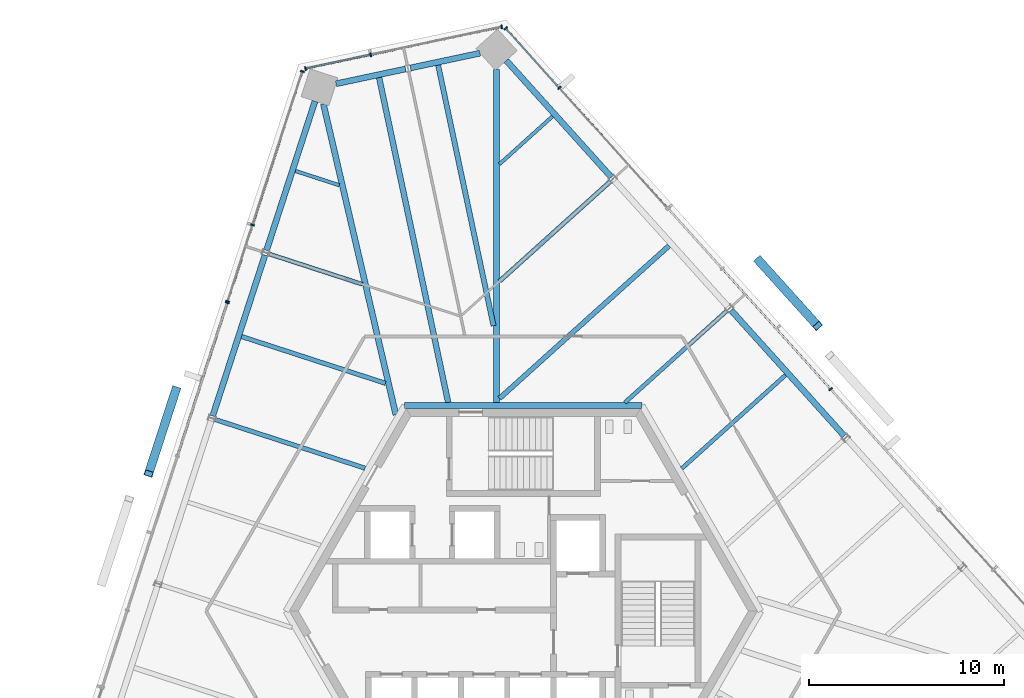
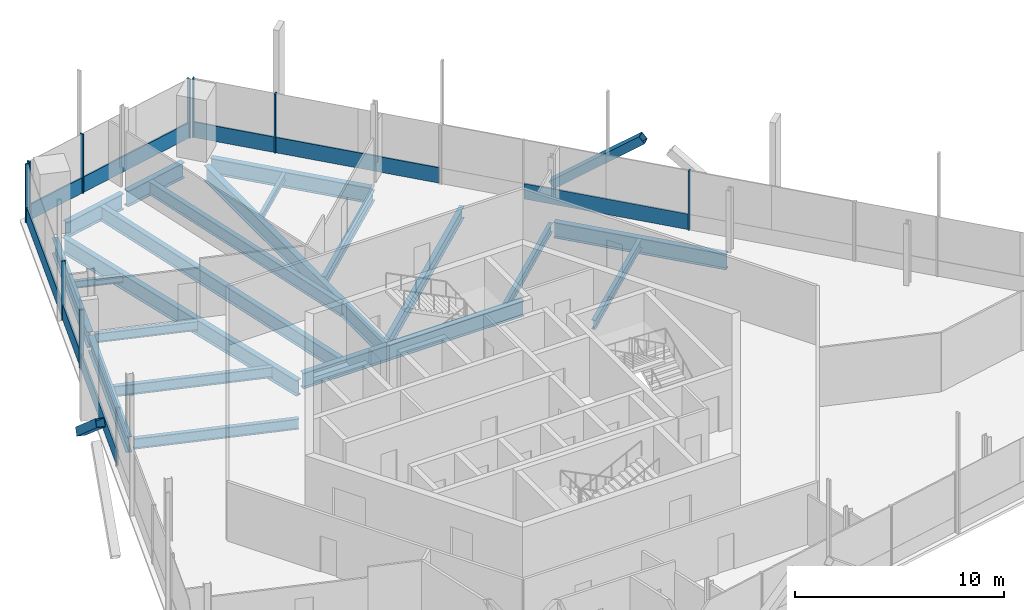
# One storey, part 7 of 17: 20 beams, 20 members, 5 elements without a shape of their own.
"""IFC4 building model written with IfcOpenShell, lengths in metres."""

import ifcopenshell
import ifcopenshell.guid

model = None  # the IFC model being written
_history = None  # IfcOwnerHistory: only IFC2X3 demands one
_inside = {}  # id of a spatial element -> (the spatial element, [elements in it])
_under = {}  # id of a project, library or spatial element -> (it, [spatial elements below it])
_declared = {}  # id of a project -> (the project, [libraries it declares])
_typed = {}  # id of a type object -> (the type object, [elements of that type])
_made_of = {}  # id of a material, layer set ... -> (it, [elements and type objects made of it])


def new_model(schema):
    """Start an empty IFC model of exactly this schema.

    Asked for "IFC4X3", IfcOpenShell would pick the latest addendum, in which some entities
    have other attributes; the version numbers below select the first issue.
    IFC2X3 requires an IfcOwnerHistory on every rooted entity: one is made here for all.
    """
    global model, _history
    if schema == "IFC4X3":
        model = ifcopenshell.file(schema_version=(4, 3, 0, 0))
    else:
        model = ifcopenshell.file(schema=schema)
    _inside.clear()
    _under.clear()
    _declared.clear()
    _typed.clear()
    _made_of.clear()
    _history = None
    if model.schema == "IFC2X3":
        org = make("IfcOrganization", Name="unknown")
        user = make(
            "IfcPersonAndOrganization",
            ThePerson=make("IfcPerson", FamilyName="unknown"),
            TheOrganization=org,
        )
        app = make(
            "IfcApplication",
            ApplicationDeveloper=org,
            Version="unknown",
            ApplicationFullName="unknown",
            ApplicationIdentifier="unknown",
        )
        _history = make(
            "IfcOwnerHistory",
            OwningUser=user,
            OwningApplication=app,
            ChangeAction="ADDED",
            CreationDate=0,
        )
    return model


def make(cls, **values):
    """One entity of the class cls with the attributes given. An attribute that is None is left unset."""
    return model.create_entity(
        cls, **{name: value for name, value in values.items() if value is not None}
    )


def rooted(cls, **values):
    """An entity with a GlobalId (a new one), such as an element, a storey or a relation."""
    return make(cls, GlobalId=ifcopenshell.guid.new(), OwnerHistory=_history, **values)


def si_unit(unit_type, name, prefix=None):
    """IfcSIUnit, for example si_unit("LENGTHUNIT", "METRE", prefix="MILLI")."""
    return make("IfcSIUnit", UnitType=unit_type, Prefix=prefix, Name=name)


def assignment(units):
    """IfcUnitAssignment: the units of a project."""
    return None if units is None else make("IfcUnitAssignment", Units=units)


def point(xyz):
    """IfcCartesianPoint."""
    return None if xyz is None else make("IfcCartesianPoint", Coordinates=xyz)


def direction(xyz):
    """IfcDirection."""
    return None if xyz is None else make("IfcDirection", DirectionRatios=xyz)


def frame(location, z_axis=None, x_axis=None):
    """IfcAxis2Placement3D, a coordinate frame: its origin and axes. An axis left out is left unset."""
    return make(
        "IfcAxis2Placement3D",
        Location=point(location),
        Axis=direction(z_axis),
        RefDirection=direction(x_axis),
    )


def frame_2d(location, x_axis=None):
    """IfcAxis2Placement2D, a coordinate frame in the plane: its origin and x axis."""
    return make(
        "IfcAxis2Placement2D", Location=point(location), RefDirection=direction(x_axis)
    )


def origin():
    """The frame at (0, 0, 0) with its axes left unset."""
    return frame((0.0, 0.0, 0.0))


def origin_2d():
    """The frame at (0, 0) in the plane with its x axis left unset."""
    return frame_2d((0.0, 0.0))


def place(relative_to, where):
    """IfcLocalPlacement: puts the frame where relative to a parent placement (None: the world)."""
    return make(
        "IfcLocalPlacement", PlacementRelTo=relative_to, RelativePlacement=where
    )


def context(
    kind, dimensions, precision=None, world=None, true_north=None, identifier=None
):
    """IfcGeometricRepresentationContext, for example the 3D "Model" context."""
    return make(
        "IfcGeometricRepresentationContext",
        ContextIdentifier=identifier,
        ContextType=kind,
        CoordinateSpaceDimension=dimensions,
        Precision=precision,
        WorldCoordinateSystem=world,
        TrueNorth=true_north,
    )


def subcontext(parent, identifier, kind, view, scale=None):
    """IfcGeometricRepresentationSubContext, for example "Body" below "Model"."""
    return make(
        "IfcGeometricRepresentationSubContext",
        ContextIdentifier=identifier,
        ContextType=kind,
        ParentContext=parent,
        TargetScale=scale,
        TargetView=view,
    )


def project(units=None, contexts=None):
    """IfcProject with its units and contexts."""
    return rooted(
        "IfcProject",
        Name="project",
        RepresentationContexts=contexts,
        UnitsInContext=assignment(units),
    )


def spatial(cls, under=None, at=None, **own):
    """A site, building, storey or space (cls), placed at a placement, below another one or the project."""
    s = rooted(cls, ObjectPlacement=at, **own)
    if under is not None:
        _under.setdefault(under.id(), (under, []))[1].append(s)
    return s


def profile(cls, at=None, kind="AREA", **sizes):
    """A parametric profile (cls). Its sizes go by their IFC names, for example OverallWidth=200.0."""
    return make(cls, ProfileType=kind, Position=at, **sizes)


def rectangle(**sizes):
    """IfcRectangleProfileDef."""
    return profile("IfcRectangleProfileDef", **sizes)


def hollow_rectangle(**sizes):
    """IfcRectangleHollowProfileDef."""
    return profile("IfcRectangleHollowProfileDef", **sizes)


def i_section(**sizes):
    """IfcIShapeProfileDef."""
    return profile("IfcIShapeProfileDef", **sizes)


def extrude(swept, where, along, depth):
    """IfcExtrudedAreaSolid: the profile swept, set in the frame where, extruded along a direction by depth."""
    return make(
        "IfcExtrudedAreaSolid",
        SweptArea=swept,
        Position=where,
        ExtrudedDirection=direction(along),
        Depth=depth,
    )


def shape(context_of_items, identifier, shape_type, items):
    """IfcShapeRepresentation: the items that make up one representation, for example the "Body"."""
    return make(
        "IfcShapeRepresentation",
        ContextOfItems=context_of_items,
        RepresentationIdentifier=identifier,
        RepresentationType=shape_type,
        Items=items,
    )


def source(mapping_origin, context_of_items, identifier, shape_type, items):
    """IfcRepresentationMap: a shape defined once, which mapped items show again and again."""
    return make(
        "IfcRepresentationMap",
        MappingOrigin=mapping_origin,
        MappedRepresentation=shape(context_of_items, identifier, shape_type, items),
    )


def transform(
    local_origin,
    x_axis=None,
    y_axis=None,
    z_axis=None,
    scale=None,
    scale2=None,
    scale3=None,
    uniform=True,
):
    """IfcCartesianTransformationOperator3D, or its non-uniform kind. x_axis, y_axis, z_axis: its Axis1, 2, 3."""
    if uniform:
        return make(
            "IfcCartesianTransformationOperator3D",
            Axis1=direction(x_axis),
            Axis2=direction(y_axis),
            LocalOrigin=point(local_origin),
            Scale=scale,
            Axis3=direction(z_axis),
        )
    return make(
        "IfcCartesianTransformationOperator3DnonUniform",
        Axis1=direction(x_axis),
        Axis2=direction(y_axis),
        LocalOrigin=point(local_origin),
        Scale=scale,
        Axis3=direction(z_axis),
        Scale2=scale2,
        Scale3=scale3,
    )


def mapped(mapping_source, mapping_target):
    """IfcMappedItem: shows the shape of a source again, moved by a transform."""
    return make(
        "IfcMappedItem", MappingSource=mapping_source, MappingTarget=mapping_target
    )


def material(Name=None, Category=None):
    """IfcMaterial."""
    return make("IfcMaterial", Name=Name, Category=Category)


def material_profile(
    of_material, cross_section, Name=None, Category=None, Priority=None
):
    """IfcMaterialProfile: a cross section and its material."""
    return make(
        "IfcMaterialProfile",
        Name=Name,
        Material=of_material,
        Profile=cross_section,
        Priority=Priority,
        Category=Category,
    )


def profile_set(profiles, Name=None, composite=None):
    """IfcMaterialProfileSet."""
    return make(
        "IfcMaterialProfileSet",
        Name=Name,
        MaterialProfiles=profiles,
        CompositeProfile=composite,
    )


def made_of(thing, what):
    """Note that an element or type object is made of a material, layer set ...; save() writes the relation."""
    if what is not None:
        _made_of.setdefault(what.id(), (what, []))[1].append(thing)
    return thing


def type_object(cls, material=None, **own):
    """A type object (cls), such as IfcWallType, which elements share."""
    return made_of(rooted(cls, **own), material)


def element(
    cls,
    number,
    at=None,
    inside=None,
    cuts=None,
    type_object=None,
    material=None,
    context=None,
    identifier="Body",
    shape_type=None,
    held_by="IfcProductDefinitionShape",
    body=None,
    shapes=None,
    **own,
):
    """One element of the class cls, such as IfcWall. Its Tag is "e" and its number.

    at: its placement. inside: the storey or other place that contains it. cuts: it is an
    opening in that element (IfcRelVoidsElement). A single representation is given by context,
    identifier, shape_type and body (its items); several are given by shapes. held_by: the class
    of the entity that holds the representations. save() writes the other relations.
    """
    e = rooted(cls, Tag="e%d" % number, ObjectPlacement=at, **own)
    if body is not None:
        shapes = [shape(context, identifier, shape_type, body)]
    if shapes is not None:
        e.Representation = make(held_by, Representations=shapes)
    if inside is not None:
        _inside.setdefault(inside.id(), (inside, []))[1].append(e)
    if cuts is not None:
        rooted(
            "IfcRelVoidsElement", RelatingBuildingElement=cuts, RelatedOpeningElement=e
        )
    if type_object is not None:
        _typed.setdefault(type_object.id(), (type_object, []))[1].append(e)
    return made_of(e, material)


def aggregate(whole, parts):
    """IfcRelAggregates: a whole, such as a stair, and the parts it consists of."""
    return rooted("IfcRelAggregates", RelatingObject=whole, RelatedObjects=parts)


def save(model, path):
    """Write the relations noted so far, then the file.

    IfcRelAggregates (storeys below a building ...), IfcRelContainedInSpatialStructure (elements
    in a storey), IfcRelDefinesByType, IfcRelAssociatesMaterial and IfcRelDeclares: one each for
    every whole, place, type object, material and project.
    """
    for whole, parts in _under.values():
        aggregate(whole, parts)
    for where, things in _inside.values():
        rooted(
            "IfcRelContainedInSpatialStructure",
            RelatedElements=things,
            RelatingStructure=where,
        )
    for kind, things in _typed.values():
        rooted("IfcRelDefinesByType", RelatedObjects=things, RelatingType=kind)
    for what, things in _made_of.values():
        rooted("IfcRelAssociatesMaterial", RelatedObjects=things, RelatingMaterial=what)
    for by, libraries in _declared.values():
        rooted("IfcRelDeclares", RelatingContext=by, RelatedDefinitions=libraries)
    model.write(path)


model = new_model("IFC4")

# Units and contexts
model_context = context("Model", 3, precision=1e-05, world=origin(), true_north=direction((0.0, 1.0)))
body_context = subcontext(model_context, "Body", "Model", "MODEL_VIEW")
ifc_project = project(units=[si_unit("LENGTHUNIT", "METRE"), si_unit("AREAUNIT", "SQUARE_METRE"), si_unit("VOLUMEUNIT", "CUBIC_METRE"), si_unit("PLANEANGLEUNIT", "RADIAN"), si_unit("MASSUNIT", "GRAM", prefix="KILO")], contexts=[model_context])

# Site, building, storey
site_placement = place(None, origin())
site = spatial("IfcSite", under=ifc_project, at=site_placement, CompositionType="ELEMENT")
building_placement = place(site_placement, origin())
building = spatial("IfcBuilding", under=site, at=building_placement, Name="Triune Harvest Tower", CompositionType="ELEMENT")
storey_placement = place(building_placement, frame((0.0, 0.0, 273.89990234375)))
storey = spatial("IfcBuildingStorey", under=building, at=storey_placement, Name="L72", CompositionType="ELEMENT", Elevation=273.89990234375)

# Beams
ifc_material_1 = material(Name="Steel ASTM A992 Gr 50", Category="steel")
ifc_material_profile_1 = material_profile(ifc_material_1, i_section(OverallWidth=0.3046875, OverallDepth=0.914306640625, WebThickness=0.0166015625, FlangeThickness=0.02587890625, at=origin_2d()), Name="W36x160")
ifc_profile_set_1 = profile_set([ifc_material_profile_1], Name="Steel ASTM A992 Gr 50")
beam_type_1 = type_object("IfcBeamType", Name="CG-1 Core ring girder W36x160", PredefinedType="BEAM", material=ifc_profile_set_1)
shared_shape_1 = source(origin(), body_context, "Body", "SweptSolid", [
    extrude(i_section(OverallWidth=0.3046875, OverallDepth=0.914306640625, WebThickness=0.0166015625, FlangeThickness=0.02587890625, at=origin_2d()), origin(), (0.0, 0.0, 1.0), 12.17578125),
])
beam_1_placement = place(storey_placement, frame((6.087890625, 10.544677734375, -0.6171875), z_axis=(-1.0, 0.0, 0.0), x_axis=(0.0, -1.0, 0.0)))
element("IfcBeam", 1, at=beam_1_placement, inside=storey, type_object=beam_type_1, Name="beam/L72/CG2", PredefinedType="BEAM", context=body_context, shape_type="MappedRepresentation", body=[
    mapped(shared_shape_1, transform((0.0, 0.0, 0.0), scale=1.0)),
])
ifc_material_2 = material(Name="Steel ASTM A992 Gr 50", Category="steel")
ifc_material_profile_2 = material_profile(ifc_material_2, i_section(OverallWidth=0.3046875, OverallDepth=0.914306640625, WebThickness=0.0166015625, FlangeThickness=0.02587890625, at=origin_2d()), Name="W36x160")
ifc_profile_set_2 = profile_set([ifc_material_profile_2], Name="Steel ASTM A992 Gr 50")
beam_type_2 = type_object("IfcBeamType", Name="SB-1 Spandrel beam W36x160", PredefinedType="SPANDREL", material=ifc_profile_set_2)
shared_shape_2 = source(origin(), body_context, "Body", "SweptSolid", [
    extrude(i_section(OverallWidth=0.3046875, OverallDepth=0.914306640625, WebThickness=0.0166015625, FlangeThickness=0.02587890625, at=origin_2d()), origin(), (0.0, 0.0, 1.0), 8.0498046875),
])
for number, where, z_axis, x_axis, name in (
    (2, (4.511474609375, 22.25537109375, -0.6171875), (-0.669152382485, 0.743125217588, 0.0), (-0.743125217588, -0.669152382485, 0.0), "beam/L72/SB5"),
    (3, (-10.685791015625, 26.152099609375, -0.6171875), (-0.30902160762, -0.951055017348, 0.0), (0.951055017348, -0.30902160762, 0.0), "beam/L72/SB8"),
):
    element("IfcBeam", number, at=place(storey_placement, frame(where, z_axis=z_axis, x_axis=x_axis)), inside=storey, type_object=beam_type_2, Name=name, PredefinedType="SPANDREL", context=body_context, shape_type="MappedRepresentation", body=[
        mapped(shared_shape_2, transform((0.0, 0.0, 0.0), scale=1.0)),
    ])
shared_shape_3 = source(origin(), body_context, "Body", "SweptSolid", [
    extrude(i_section(OverallWidth=0.3046875, OverallDepth=0.914306640625, WebThickness=0.0166015625, FlangeThickness=0.02587890625, at=origin_2d()), origin(), (0.0, 0.0, 1.0), 8.671630859375),
])
beam_2_placement = place(storey_placement, frame((16.45947265625, 8.985595703125, -0.6171875), z_axis=(-0.669129593336, 0.743145737606, 0.0), x_axis=(-0.743145737606, -0.669129593336, 0.0)))
element("IfcBeam", 4, at=beam_2_placement, inside=storey, type_object=beam_type_2, Name="beam/L72/SB3", PredefinedType="SPANDREL", context=body_context, shape_type="MappedRepresentation", body=[
    mapped(shared_shape_3, transform((0.0, 0.0, 0.0), scale=1.0)),
])
shared_shape_4 = source(origin(), body_context, "Body", "SweptSolid", [
    extrude(i_section(OverallWidth=0.3046875, OverallDepth=0.914306640625, WebThickness=0.0166015625, FlangeThickness=0.02587890625, at=origin_2d()), origin(), (0.0, 0.0, 1.0), 8.67138671875),
])
beam_3_placement = place(storey_placement, frame((-13.252685546875, 18.25244140625, -0.6171875), z_axis=(-0.309022409974, -0.951054756643, 0.0), x_axis=(0.951054756643, -0.309022409974, 0.0)))
element("IfcBeam", 5, at=beam_3_placement, inside=storey, type_object=beam_type_2, Name="beam/L72/SB9", PredefinedType="SPANDREL", context=body_context, shape_type="MappedRepresentation", body=[
    mapped(shared_shape_4, transform((0.0, 0.0, 0.0), scale=1.0)),
])
shared_shape_5 = source(origin(), body_context, "Body", "SweptSolid", [
    extrude(i_section(OverallWidth=0.3046875, OverallDepth=0.914306640625, WebThickness=0.0166015625, FlangeThickness=0.02587890625, at=origin_2d()), origin(), (0.0, 0.0, 1.0), 3.645751953125),
])
beam_4_placement = place(storey_placement, frame((-2.223876953125, 28.61474609375, -0.6171875), z_axis=(-0.978145063506, -0.207923627178, 0.0), x_axis=(0.207923627178, -0.978145063506, 0.0)))
element("IfcBeam", 6, at=beam_4_placement, inside=storey, type_object=beam_type_2, Name="beam/L72/SB6", PredefinedType="SPANDREL", context=body_context, shape_type="MappedRepresentation", body=[
    mapped(shared_shape_5, transform((0.0, 0.0, 0.0), scale=1.0)),
])
shared_shape_6 = source(origin(), body_context, "Body", "SweptSolid", [
    extrude(i_section(OverallWidth=0.3046875, OverallDepth=0.914306640625, WebThickness=0.0166015625, FlangeThickness=0.02587890625, at=origin_2d()), origin(), (0.0, 0.0, 1.0), 3.6455078125),
])
beam_5_placement = place(storey_placement, frame((-6.041015625, 27.803466796875, -0.6171875), z_axis=(-0.978142168213, -0.207937247179, 0.0), x_axis=(0.207937247179, -0.978142168213, 0.0)))
element("IfcBeam", 7, at=beam_5_placement, inside=storey, type_object=beam_type_2, Name="beam/L72/SB7", PredefinedType="SPANDREL", context=body_context, shape_type="MappedRepresentation", body=[
    mapped(shared_shape_6, transform((0.0, 0.0, 0.0), scale=1.0)),
])
ifc_material_3 = material(Name="Steel ASTM A992 Gr 50", Category="steel")
ifc_material_profile_3 = material_profile(ifc_material_3, i_section(OverallWidth=0.3046875, OverallDepth=0.914306640625, WebThickness=0.0166015625, FlangeThickness=0.02587890625, at=origin_2d()), Name="W36x160")
ifc_profile_set_3 = profile_set([ifc_material_profile_3], Name="Steel ASTM A992 Gr 50")
beam_type_3 = type_object("IfcBeamType", Name="HG-3 Hip girder W36x160", PredefinedType="BEAM", material=ifc_profile_set_3)
shared_shape_7 = source(origin(), body_context, "Body", "SweptSolid", [
    extrude(i_section(OverallWidth=0.3046875, OverallDepth=0.914306640625, WebThickness=0.0166015625, FlangeThickness=0.02587890625, at=origin_2d()), origin(), (0.0, 0.0, 1.0), 17.088623046875),
])
beam_6_placement = place(storey_placement, frame((-1.376708984375, 27.78564453125, -0.6171875), z_axis=(0.0, -1.0, 0.0), x_axis=(1.0, 0.0, 0.0)))
element("IfcBeam", 8, at=beam_6_placement, inside=storey, type_object=beam_type_3, Name="beam/L72/HG2", PredefinedType="BEAM", context=body_context, shape_type="MappedRepresentation", body=[
    mapped(shared_shape_7, transform((0.0, 0.0, 0.0), scale=1.0)),
])
shared_shape_8 = source(origin(), body_context, "Body", "SweptSolid", [
    extrude(i_section(OverallWidth=0.3046875, OverallDepth=0.914306640625, WebThickness=0.0166015625, FlangeThickness=0.02587890625, at=origin_2d()), origin(), (0.0, 0.0, 1.0), 16.37060546875),
])
beam_7_placement = place(storey_placement, frame((-10.255126953125, 26.01220703125, -0.6171875), z_axis=(0.227026417792, -0.973888600213, 0.0), x_axis=(0.973888600213, 0.227026417792, 0.0)))
element("IfcBeam", 9, at=beam_7_placement, inside=storey, type_object=beam_type_3, Name="beam/L72/HG3", PredefinedType="BEAM", context=body_context, shape_type="MappedRepresentation", body=[
    mapped(shared_shape_8, transform((0.0, 0.0, 0.0), scale=1.0)),
])
ifc_material_4 = material(Name="Steel ASTM A992 Gr 50", Category="steel")
ifc_material_profile_4 = material_profile(ifc_material_4, i_section(OverallWidth=0.22900390625, OverallDepth=0.612060546875, WebThickness=0.011962890625, FlangeThickness=0.01953125, at=origin_2d()), Name="W24x84")
ifc_profile_set_4 = profile_set([ifc_material_profile_4], Name="Steel ASTM A992 Gr 50")
beam_type_4 = type_object("IfcBeamType", Name="JT-3 Floor joist W24x84", PredefinedType="JOIST", material=ifc_profile_set_4)
shared_shape_9 = source(origin(), body_context, "Body", "SweptSolid", [
    extrude(i_section(OverallWidth=0.22900390625, OverallDepth=0.612060546875, WebThickness=0.011962890625, FlangeThickness=0.01953125, at=origin_2d()), origin(), (0.0, 0.0, 1.0), 7.755126953125),
])
beam_8_placement = place(storey_placement, frame((-14.447509765625, 14.081787109375, -0.466064453125), z_axis=(0.951054888115, -0.309022005354, 0.0), x_axis=(0.309022005354, 0.951054888115, 0.0)))
element("IfcBeam", 10, at=beam_8_placement, inside=storey, type_object=beam_type_4, Name="beam/L72/JT14", PredefinedType="JOIST", context=body_context, shape_type="MappedRepresentation", body=[
    mapped(shared_shape_9, transform((0.0, 0.0, 0.0), scale=1.0)),
])
ifc_material_5 = material(Name="Steel ASTM A992 Gr 50", Category="steel")
ifc_material_profile_5 = material_profile(ifc_material_5, i_section(OverallWidth=0.2099609375, OverallDepth=0.535888671875, WebThickness=0.010986328125, FlangeThickness=0.017333984375, at=origin_2d()), Name="W21x68")
ifc_profile_set_5 = profile_set([ifc_material_profile_5], Name="Steel ASTM A992 Gr 50")
beam_type_5 = type_object("IfcBeamType", Name="JT-2 Floor joist W21x68", PredefinedType="JOIST", material=ifc_profile_set_5)
shared_shape_10 = source(origin(), body_context, "Body", "SweptSolid", [
    extrude(i_section(OverallWidth=0.2099609375, OverallDepth=0.535888671875, WebThickness=0.010986328125, FlangeThickness=0.017333984375, at=origin_2d()), origin(), (0.0, 0.0, 1.0), 7.155517578125),
])
beam_9_placement = place(storey_placement, frame((13.44482421875, 12.105712890625, -0.427978515625), z_axis=(-0.743139743978, -0.669136249892, 0.0), x_axis=(0.669136249892, -0.743139743978, 0.0)))
element("IfcBeam", 11, at=beam_9_placement, inside=storey, type_object=beam_type_5, Name="beam/L72/JT5", PredefinedType="JOIST", context=body_context, shape_type="MappedRepresentation", body=[
    mapped(shared_shape_10, transform((0.0, 0.0, 0.0), scale=1.0)),
])
shared_shape_11 = source(origin(), body_context, "Body", "SweptSolid", [
    extrude(i_section(OverallWidth=0.2099609375, OverallDepth=0.535888671875, WebThickness=0.010986328125, FlangeThickness=0.017333984375, at=origin_2d()), origin(), (0.0, 0.0, 1.0), 7.035400390625),
])
beam_10_placement = place(storey_placement, frame((10.437255859375, 15.404541015625, -0.427978515625), z_axis=(-0.743147458893, -0.669127681643, 0.0), x_axis=(0.669127681643, -0.743147458893, 0.0)))
element("IfcBeam", 12, at=beam_10_placement, inside=storey, type_object=beam_type_5, Name="beam/L72/JT6", PredefinedType="JOIST", context=body_context, shape_type="MappedRepresentation", body=[
    mapped(shared_shape_11, transform((0.0, 0.0, 0.0), scale=1.0)),
])
ifc_material_6 = material(Name="Steel ASTM A992 Gr 50", Category="steel")
ifc_material_profile_6 = material_profile(ifc_material_6, i_section(OverallWidth=0.253662109375, OverallDepth=0.683349609375, WebThickness=0.012451171875, FlangeThickness=0.01904296875, at=origin_2d()), Name="W27x94")
ifc_profile_set_6 = profile_set([ifc_material_profile_6], Name="Steel ASTM A992 Gr 50")
beam_type_6 = type_object("IfcBeamType", Name="JT-4 Floor joist W27x94", PredefinedType="JOIST", material=ifc_profile_set_6)
shared_shape_12 = source(origin(), body_context, "Body", "SweptSolid", [
    extrude(i_section(OverallWidth=0.253662109375, OverallDepth=0.683349609375, WebThickness=0.012451171875, FlangeThickness=0.01904296875, at=origin_2d()), origin(), (0.0, 0.0, 1.0), 11.70068359375),
])
beam_11_placement = place(storey_placement, frame((7.470947265625, 18.740478515625, -0.50146484375), z_axis=(-0.743153026809, -0.669121497745, 0.0), x_axis=(0.669121497745, -0.743153026809, 0.0)))
element("IfcBeam", 13, at=beam_11_placement, inside=storey, type_object=beam_type_6, Name="beam/L72/JT7", PredefinedType="JOIST", context=body_context, shape_type="MappedRepresentation", body=[
    mapped(shared_shape_12, transform((0.0, 0.0, 0.0), scale=1.0)),
])
shared_shape_13 = source(origin(), body_context, "Body", "SweptSolid", [
    extrude(i_section(OverallWidth=0.22900390625, OverallDepth=0.612060546875, WebThickness=0.011962890625, FlangeThickness=0.01953125, at=origin_2d()), origin(), (0.0, 0.0, 1.0), 7.6533203125),
])
beam_12_placement = place(storey_placement, frame((4.463134765625, 22.039306640625, -0.466064453125), z_axis=(-0.74314185307, -0.669133907537, 0.0), x_axis=(0.669133907537, -0.74314185307, 0.0)))
element("IfcBeam", 14, at=beam_12_placement, inside=storey, type_object=beam_type_4, Name="beam/L72/JT8", PredefinedType="JOIST", context=body_context, shape_type="MappedRepresentation", body=[
    mapped(shared_shape_13, transform((0.0, 0.0, 0.0), scale=1.0)),
])
ifc_material_7 = material(Name="Steel ASTM A992 Gr 50", Category="steel")
ifc_material_profile_7 = material_profile(ifc_material_7, i_section(OverallWidth=0.180908203125, OverallDepth=0.41650390625, WebThickness=0.010986328125, FlangeThickness=0.01806640625, at=origin_2d()), Name="W16x57")
ifc_profile_set_7 = profile_set([ifc_material_profile_7], Name="Steel ASTM A992 Gr 50")
beam_type_7 = type_object("IfcBeamType", Name="JT-1 Floor joist W16x57", PredefinedType="JOIST", material=ifc_profile_set_7)
shared_shape_14 = source(origin(), body_context, "Body", "SweptSolid", [
    extrude(i_section(OverallWidth=0.180908203125, OverallDepth=0.41650390625, WebThickness=0.010986328125, FlangeThickness=0.01806640625, at=origin_2d()), origin(), (0.0, 0.0, 1.0), 3.661865234375),
])
beam_13_placement = place(storey_placement, frame((1.496826171875, 25.37548828125, -0.3681640625), z_axis=(-0.743108471823, -0.669170978977, 0.0), x_axis=(0.669170978977, -0.743108471823, 0.0)))
element("IfcBeam", 15, at=beam_13_placement, inside=storey, type_object=beam_type_7, Name="beam/L72/JT9", PredefinedType="JOIST", context=body_context, shape_type="MappedRepresentation", body=[
    mapped(shared_shape_14, transform((0.0, 0.0, 0.0), scale=1.0)),
])
ifc_material_8 = material(Name="Steel ASTM A992 Gr 50", Category="steel")
ifc_material_profile_8 = material_profile(ifc_material_8, i_section(OverallWidth=0.2666015625, OverallDepth=0.7568359375, WebThickness=0.013916015625, FlangeThickness=0.019287109375, at=origin_2d()), Name="W30x108")
ifc_profile_set_8 = profile_set([ifc_material_profile_8], Name="Steel ASTM A992 Gr 50")
beam_type_8 = type_object("IfcBeamType", Name="JT-5 Floor joist W30x108", PredefinedType="JOIST", material=ifc_profile_set_8)
shared_shape_15 = source(origin(), body_context, "Body", "SweptSolid", [
    extrude(i_section(OverallWidth=0.2666015625, OverallDepth=0.7568359375, WebThickness=0.013916015625, FlangeThickness=0.019287109375, at=origin_2d()), origin(), (0.0, 0.0, 1.0), 13.66796875),
])
beam_14_placement = place(storey_placement, frame((-4.370849609375, 28.002685546875, -0.538330078125), z_axis=(0.207897850023, -0.978150542583, 0.0), x_axis=(0.978150542583, 0.207897850023, 0.0)))
element("IfcBeam", 16, at=beam_14_placement, inside=storey, type_object=beam_type_8, Name="beam/L72/JT10", PredefinedType="JOIST", context=body_context, shape_type="MappedRepresentation", body=[
    mapped(shared_shape_15, transform((0.0, 0.0, 0.0), scale=1.0)),
])
ifc_material_9 = material(Name="Steel ASTM A992 Gr 50", Category="steel")
ifc_material_profile_9 = material_profile(ifc_material_9, i_section(OverallWidth=0.2919921875, OverallDepth=0.8408203125, WebThickness=0.0146484375, FlangeThickness=0.021728515625, at=origin_2d()), Name="W33x130")
ifc_profile_set_9 = profile_set([ifc_material_profile_9], Name="Steel ASTM A992 Gr 50")
beam_type_9 = type_object("IfcBeamType", Name="JT-6 Floor joist W33x130", PredefinedType="JOIST", material=ifc_profile_set_9)
shared_shape_16 = source(origin(), body_context, "Body", "SweptSolid", [
    extrude(i_section(OverallWidth=0.2919921875, OverallDepth=0.8408203125, WebThickness=0.0146484375, FlangeThickness=0.021728515625, at=origin_2d()), origin(), (0.0, 0.0, 1.0), 17.034912109375),
])
beam_15_placement = place(storey_placement, frame((-7.396728515625, 27.359619140625, -0.580322265625), z_axis=(0.207911891923, -0.978147557988, 0.0), x_axis=(0.978147557988, 0.207911891923, 0.0)))
element("IfcBeam", 17, at=beam_15_placement, inside=storey, type_object=beam_type_9, Name="beam/L72/JT11", PredefinedType="JOIST", context=body_context, shape_type="MappedRepresentation", body=[
    mapped(shared_shape_16, transform((0.0, 0.0, 0.0), scale=1.0)),
])
shared_shape_17 = source(origin(), body_context, "Body", "SweptSolid", [
    extrude(i_section(OverallWidth=0.180908203125, OverallDepth=0.41650390625, WebThickness=0.010986328125, FlangeThickness=0.01806640625, at=origin_2d()), origin(), (0.0, 0.0, 1.0), 2.36474609375),
])
beam_16_placement = place(storey_placement, frame((-11.688720703125, 22.57275390625, -0.3681640625), z_axis=(0.951061378221, -0.309002030505, 0.0), x_axis=(0.309002030505, 0.951061378221, 0.0)))
element("IfcBeam", 18, at=beam_16_placement, inside=storey, type_object=beam_type_7, Name="beam/L72/JT12", PredefinedType="JOIST", context=body_context, shape_type="MappedRepresentation", body=[
    mapped(shared_shape_17, transform((0.0, 0.0, 0.0), scale=1.0)),
])
shared_shape_18 = source(origin(), body_context, "Body", "SweptSolid", [
    extrude(i_section(OverallWidth=0.2099609375, OverallDepth=0.535888671875, WebThickness=0.010986328125, FlangeThickness=0.017333984375, at=origin_2d()), origin(), (0.0, 0.0, 1.0), 5.0322265625),
])
beam_17_placement = place(storey_placement, frame((-13.04150390625, 18.318603515625, -0.427978515625), z_axis=(0.951062231031, -0.308999405674, 0.0), x_axis=(0.308999405674, 0.951062231031, 0.0)))
element("IfcBeam", 19, at=beam_17_placement, inside=storey, type_object=beam_type_5, Name="beam/L72/JT13", PredefinedType="JOIST", context=body_context, shape_type="MappedRepresentation", body=[
    mapped(shared_shape_18, transform((0.0, 0.0, 0.0), scale=1.0)),
])
shared_shape_19 = source(origin(), body_context, "Body", "SweptSolid", [
    extrude(i_section(OverallWidth=0.22900390625, OverallDepth=0.612060546875, WebThickness=0.011962890625, FlangeThickness=0.01953125, at=origin_2d()), origin(), (0.0, 0.0, 1.0), 8.07666015625),
])
beam_18_placement = place(storey_placement, frame((-15.80029296875, 9.82763671875, -0.466064453125), z_axis=(0.951056057917, -0.309018405114, 0.0), x_axis=(0.309018405114, 0.951056057917, 0.0)))
element("IfcBeam", 20, at=beam_18_placement, inside=storey, type_object=beam_type_4, Name="beam/L72/JT15", PredefinedType="JOIST", context=body_context, shape_type="MappedRepresentation", body=[
    mapped(shared_shape_19, transform((0.0, 0.0, 0.0), scale=1.0)),
])

# Members
ifc_material_10 = material(Name="Steel ASTM A572 Gr 50", Category="steel")
ifc_material_profile_10 = material_profile(ifc_material_10, hollow_rectangle(XDim=0.449951171875, YDim=0.449951171875, WallThickness=0.02490234375, at=origin_2d()), Name="Box 450x450x25")
ifc_profile_set_10 = profile_set([ifc_material_profile_10], Name="Steel ASTM A572 Gr 50")
member_type_1 = type_object("IfcMemberType", Name="BR-4 Brace Box 450x450x25", PredefinedType="BRACE", material=ifc_profile_set_10)
shared_shape_20 = source(origin(), body_context, "Body", "SweptSolid", [
    extrude(hollow_rectangle(XDim=0.449951171875, YDim=0.449951171875, WallThickness=0.02490234375, at=origin_2d()), origin(), (0.0, 0.0, 1.0), 5.789306640625),
])
member_1_placement = place(storey_placement, frame((12.059326171875, 17.998046875, 0.0), z_axis=(0.524023993407, -0.581967737729, 0.621862047866), x_axis=(0.743133466604, 0.669143221451, 0.0)))
element("IfcMember", 21, at=member_1_placement, inside=storey, type_object=member_type_1, Name="brace/B7-F1/d2/5", PredefinedType="BRACE", context=body_context, shape_type="MappedRepresentation", body=[
    mapped(shared_shape_20, transform((0.0, 0.0, 0.0), scale=1.0)),
])
shared_shape_21 = source(origin(), body_context, "Body", "SweptSolid", [
    extrude(hollow_rectangle(XDim=0.449951171875, YDim=0.449951171875, WallThickness=0.02490234375, at=origin_2d()), origin(), (0.0, 0.0, 1.0), 5.7890625),
])
member_2_placement = place(storey_placement, frame((-17.814208984375, 11.3671875, 0.0), z_axis=(-0.241982631104, -0.744798753559, 0.621867528451), x_axis=(0.951062953567, -0.308997181788, 0.0)))
element("IfcMember", 22, at=member_2_placement, inside=storey, type_object=member_type_1, Name="brace/B7-F3/d1/5", PredefinedType="BRACE", context=body_context, shape_type="MappedRepresentation", body=[
    mapped(shared_shape_21, transform((0.0, 0.0, 0.0), scale=1.0)),
])

# Curtain wall, member
ifc_material_11 = material(Name="Aluminium bronze anodised", Category="aluminium")
curtain_wall_type_1 = type_object("IfcCurtainWallType", Name="CW-7 Tower stick curtain wall with insulated spandrel infill", PredefinedType="NOTDEFINED", material=ifc_material_11)
curtain_wall_1_placement = place(storey_placement, origin())
curtain_wall_1 = element("IfcCurtainWall", 23, at=curtain_wall_1_placement, inside=storey, type_object=curtain_wall_type_1, Name="CW-7 B7-F1 L72 run 1001")
ifc_material_12 = material(Name="Aluminium bronze anodised", Category="aluminium")
ifc_material_profile_11 = material_profile(ifc_material_12, rectangle(XDim=0.199951171875, YDim=0.074951171875, at=origin_2d()), Name="MU-1 mullion 75 x 200")
ifc_profile_set_11 = profile_set([ifc_material_profile_11], Name="Aluminium bronze anodised")
member_type_2 = type_object("IfcMemberType", Name="MU-1 mullion 75 x 200", PredefinedType="MULLION", material=ifc_profile_set_11)
shared_shape_22 = source(origin(), body_context, "Body", "SweptSolid", [
    extrude(rectangle(XDim=0.199951171875, YDim=0.074951171875, at=origin_2d()), origin(), (0.0, 0.0, 1.0), 3.440185546875),
])
member_3_placement = place(storey_placement, frame((15.75537109375, 11.39013671875, 0.0), z_axis=(0.0, 0.0, 1.0), x_axis=(-0.74314408674, -0.669131426809, 0.0)))
member_3 = element("IfcMember", 24, at=member_3_placement, type_object=member_type_2, Name="CW-7 mullion B7-F1 1001.3", PredefinedType="MULLION", context=body_context, shape_type="MappedRepresentation", body=[
    mapped(shared_shape_22, transform((0.0, 0.0, 0.0), scale=1.0)),
])

# Curtain wall, members
ifc_material_13 = material(Name="Aluminium bronze anodised", Category="aluminium")
curtain_wall_type_2 = type_object("IfcCurtainWallType", Name="CW-1 Tower stick curtain wall", PredefinedType="NOTDEFINED", material=ifc_material_13)
curtain_wall_2_placement = place(storey_placement, origin())
curtain_wall_2 = element("IfcCurtainWall", 25, at=curtain_wall_2_placement, inside=storey, type_object=curtain_wall_type_2, Name="CW-1 B7-F1 L72 run 2001")
member_4_placement = place(storey_placement, frame((1.8515625, 26.831787109375, 0.0), z_axis=(0.0, 0.0, 1.0), x_axis=(-0.743144053222, -0.669131464034, 0.0)))
member_4 = element("IfcMember", 26, at=member_4_placement, type_object=member_type_2, Name="CW-1 mullion B7-F1 2001.3", PredefinedType="MULLION", context=body_context, shape_type="MappedRepresentation", body=[
    mapped(shared_shape_22, transform((0.0, 0.0, 0.0), scale=1.0)),
])
member_5_placement = place(storey_placement, frame((-0.904052734375, 29.892333984375, 0.0), z_axis=(0.0, 0.0, 1.0), x_axis=(-0.743144053222, -0.669131464034, 0.0)))
member_5 = element("IfcMember", 27, at=member_5_placement, type_object=member_type_2, Name="CW-1 mullion B7-F1 2001.4", PredefinedType="MULLION", context=body_context, shape_type="MappedRepresentation", body=[
    mapped(shared_shape_22, transform((0.0, 0.0, 0.0), scale=1.0)),
])

curtain_wall_3_placement = place(storey_placement, origin())
curtain_wall_3 = element("IfcCurtainWall", 28, at=curtain_wall_3_placement, inside=storey, type_object=curtain_wall_type_2, Name="CW-1 B7-F2 L72 run 1")
member_6_placement = place(storey_placement, frame((-1.114013671875, 29.96044921875, 0.0), z_axis=(0.0, 0.0, 1.0), x_axis=(0.207904739307, -0.978149078297, 0.0)))
member_6 = element("IfcMember", 29, at=member_6_placement, type_object=member_type_2, Name="CW-1 mullion B7-F2 1.1", PredefinedType="MULLION", context=body_context, shape_type="MappedRepresentation", body=[
    mapped(shared_shape_22, transform((0.0, 0.0, 0.0), scale=1.0)),
])
member_7_placement = place(storey_placement, frame((-7.8291015625, 28.533203125, 0.0), z_axis=(0.0, 0.0, 1.0), x_axis=(0.207904739307, -0.978149078297, 0.0)))
member_7 = element("IfcMember", 30, at=member_7_placement, type_object=member_type_2, Name="CW-1 mullion B7-F2 1.3", PredefinedType="MULLION", context=body_context, shape_type="MappedRepresentation", body=[
    mapped(shared_shape_22, transform((0.0, 0.0, 0.0), scale=1.0)),
])
member_8_placement = place(storey_placement, frame((-11.168212890625, 27.823486328125, 0.0), z_axis=(0.0, 0.0, 1.0), x_axis=(0.207904739307, -0.978149078297, 0.0)))
member_8 = element("IfcMember", 31, at=member_8_placement, type_object=member_type_2, Name="CW-1 mullion B7-F2 1.4", PredefinedType="MULLION", context=body_context, shape_type="MappedRepresentation", body=[
    mapped(shared_shape_22, transform((0.0, 0.0, 0.0), scale=1.0)),
])

curtain_wall_4_placement = place(storey_placement, origin())
curtain_wall_4 = element("IfcCurtainWall", 32, at=curtain_wall_4_placement, inside=storey, type_object=curtain_wall_type_2, Name="CW-1 B7-F3 L72 run 1")
member_9_placement = place(storey_placement, frame((-11.332275390625, 27.67578125, 0.0), z_axis=(0.0, 0.0, 1.0), x_axis=(0.951057715783, -0.309013302707, 0.0)))
member_9 = element("IfcMember", 33, at=member_9_placement, type_object=member_type_2, Name="CW-1 mullion B7-F3 1.1", PredefinedType="MULLION", context=body_context, shape_type="MappedRepresentation", body=[
    mapped(shared_shape_22, transform((0.0, 0.0, 0.0), scale=1.0)),
])
member_10_placement = place(storey_placement, frame((-13.88916015625, 19.806640625, 0.0), z_axis=(0.0, 0.0, 1.0), x_axis=(0.951057715783, -0.309013302707, 0.0)))
member_10 = element("IfcMember", 34, at=member_10_placement, type_object=member_type_2, Name="CW-1 mullion B7-F3 1.3", PredefinedType="MULLION", context=body_context, shape_type="MappedRepresentation", body=[
    mapped(shared_shape_22, transform((0.0, 0.0, 0.0), scale=1.0)),
])
member_11_placement = place(storey_placement, frame((-15.16162109375, 15.889892578125, 0.0), z_axis=(0.0, 0.0, 1.0), x_axis=(0.951057715783, -0.309013302707, 0.0)))
member_11 = element("IfcMember", 35, at=member_11_placement, type_object=member_type_2, Name="CW-1 mullion B7-F3 1.4", PredefinedType="MULLION", context=body_context, shape_type="MappedRepresentation", body=[
    mapped(shared_shape_22, transform((0.0, 0.0, 0.0), scale=1.0)),
])

# Curtain wall, member
curtain_wall_5_placement = place(storey_placement, origin())
curtain_wall_5 = element("IfcCurtainWall", 36, at=curtain_wall_5_placement, inside=storey, type_object=curtain_wall_type_1, Name="CW-7 B7-F3 L72 run 1001")
member_12_placement = place(storey_placement, frame((-15.184814453125, 15.818603515625, 0.0), z_axis=(0.0, 0.0, 1.0), x_axis=(0.951055533932, -0.309020017761, 0.0)))
member_12 = element("IfcMember", 37, at=member_12_placement, type_object=member_type_2, Name="CW-7 mullion B7-F3 1001.1", PredefinedType="MULLION", context=body_context, shape_type="MappedRepresentation", body=[
    mapped(shared_shape_22, transform((0.0, 0.0, 0.0), scale=1.0)),
])

# Member
ifc_material_14 = material(Name="Aluminium bronze anodised", Category="aluminium")
ifc_material_profile_12 = material_profile(ifc_material_14, rectangle(XDim=0.090087890625, YDim=0.89990234375, at=origin_2d()), Name="TR-1 transom 90 x 900")
ifc_profile_set_12 = profile_set([ifc_material_profile_12], Name="Aluminium bronze anodised")
member_type_3 = type_object("IfcMemberType", Name="TR-1 transom 90 x 900", PredefinedType="USERDEFINED", material=ifc_profile_set_12)
shared_shape_23 = source(origin(), body_context, "Body", "SweptSolid", [
    extrude(rectangle(XDim=0.090087890625, YDim=0.89990234375, at=origin_2d()), origin(), (0.0, 0.0, 1.0), 6.7900390625),
])
member_13_placement = place(storey_placement, frame((-1.15087890625, 29.95263671875, 0.4501953125), z_axis=(-0.978150442975, -0.207898318677, 0.0), x_axis=(0.207898318677, -0.978150442975, 0.0)))
member_13 = element("IfcMember", 38, at=member_13_placement, type_object=member_type_3, Name="CW-1 transom B7-F2 1.1", ObjectType="TRANSOM", PredefinedType="USERDEFINED", context=body_context, shape_type="MappedRepresentation", body=[
    mapped(shared_shape_23, transform((0.0, 0.0, 0.0), scale=1.0)),
])

shared_shape_24 = source(origin(), body_context, "Body", "SweptSolid", [
    extrude(rectangle(XDim=0.090087890625, YDim=0.89990234375, at=origin_2d()), origin(), (0.0, 0.0, 1.0), 3.3388671875),
])
member_14_placement = place(storey_placement, frame((-7.86572265625, 28.525390625, 0.4501953125), z_axis=(-0.978153089547, -0.207885866306, 0.0), x_axis=(0.207885866306, -0.978153089547, 0.0)))
member_14 = element("IfcMember", 39, at=member_14_placement, type_object=member_type_3, Name="CW-1 transom B7-F2 1.2", ObjectType="TRANSOM", PredefinedType="USERDEFINED", context=body_context, shape_type="MappedRepresentation", body=[
    mapped(shared_shape_24, transform((0.0, 0.0, 0.0), scale=1.0)),
])

aggregate(curtain_wall_3, [member_6, member_7, member_8, member_13, member_14])

shared_shape_25 = source(origin(), body_context, "Body", "SweptSolid", [
    extrude(rectangle(XDim=0.090087890625, YDim=0.89990234375, at=origin_2d()), origin(), (0.0, 0.0, 1.0), 8.198974609375),
])
member_15_placement = place(storey_placement, frame((7.363037109375, 20.7109375, 0.4501953125), z_axis=(-0.669140740537, 0.743135700497, 0.0), x_axis=(-0.743135700497, -0.669140740537, 0.0)))
member_15 = element("IfcMember", 40, at=member_15_placement, type_object=member_type_3, Name="CW-1 transom B7-F1 2001.1", ObjectType="TRANSOM", PredefinedType="USERDEFINED", context=body_context, shape_type="MappedRepresentation", body=[
    mapped(shared_shape_25, transform((0.0, 0.0, 0.0), scale=1.0)),
])

member_16_placement = place(storey_placement, frame((-11.343994140625, 27.64013671875, 0.4501953125), z_axis=(-0.308991809103, -0.951064699117, 0.0), x_axis=(0.951064699117, -0.308991809103, 0.0)))
member_16 = element("IfcMember", 41, at=member_16_placement, type_object=member_type_3, Name="CW-1 transom B7-F3 1.1", ObjectType="TRANSOM", PredefinedType="USERDEFINED", context=body_context, shape_type="MappedRepresentation", body=[
    mapped(shared_shape_25, transform((0.0, 0.0, 0.0), scale=1.0)),
])

shared_shape_26 = source(origin(), body_context, "Body", "SweptSolid", [
    extrude(rectangle(XDim=0.090087890625, YDim=0.89990234375, at=origin_2d()), origin(), (0.0, 0.0, 1.0), 4.043212890625),
])
member_17_placement = place(storey_placement, frame((1.826416015625, 26.859619140625, 0.4501953125), z_axis=(-0.669091490458, 0.743180043729, 0.0), x_axis=(-0.743180043729, -0.669091490458, 0.0)))
member_17 = element("IfcMember", 42, at=member_17_placement, type_object=member_type_3, Name="CW-1 transom B7-F1 2001.2", ObjectType="TRANSOM", PredefinedType="USERDEFINED", context=body_context, shape_type="MappedRepresentation", body=[
    mapped(shared_shape_26, transform((0.0, 0.0, 0.0), scale=1.0)),
])

aggregate(curtain_wall_2, [member_4, member_5, member_15, member_17])

shared_shape_27 = source(origin(), body_context, "Body", "SweptSolid", [
    extrude(rectangle(XDim=0.090087890625, YDim=0.89990234375, at=origin_2d()), origin(), (0.0, 0.0, 1.0), 8.19921875),
])
member_18_placement = place(storey_placement, frame((-15.196533203125, 15.782958984375, 0.4501953125), z_axis=(-0.309018742385, -0.951055948331, 0.0), x_axis=(0.951055948331, -0.309018742385, 0.0)))
member_18 = element("IfcMember", 43, at=member_18_placement, type_object=member_type_3, Name="CW-7 transom B7-F3 1001.1", ObjectType="TRANSOM", PredefinedType="USERDEFINED", context=body_context, shape_type="MappedRepresentation", body=[
    mapped(shared_shape_27, transform((0.0, 0.0, 0.0), scale=1.0)),
])

aggregate(curtain_wall_5, [member_12, member_18])

shared_shape_28 = source(origin(), body_context, "Body", "SweptSolid", [
    extrude(rectangle(XDim=0.090087890625, YDim=0.89990234375, at=origin_2d()), origin(), (0.0, 0.0, 1.0), 4.04345703125),
])
member_19_placement = place(storey_placement, frame((-13.900634765625, 19.77099609375, 0.4501953125), z_axis=(-0.309027363751, -0.951053147018, 0.0), x_axis=(0.951053147018, -0.309027363751, 0.0)))
member_19 = element("IfcMember", 44, at=member_19_placement, type_object=member_type_3, Name="CW-1 transom B7-F3 1.2", ObjectType="TRANSOM", PredefinedType="USERDEFINED", context=body_context, shape_type="MappedRepresentation", body=[
    mapped(shared_shape_28, transform((0.0, 0.0, 0.0), scale=1.0)),
])

aggregate(curtain_wall_4, [member_9, member_10, member_11, member_16, member_19])

shared_shape_29 = source(origin(), body_context, "Body", "SweptSolid", [
    extrude(rectangle(XDim=0.090087890625, YDim=0.89990234375, at=origin_2d()), origin(), (0.0, 0.0, 1.0), 8.236328125),
])
member_20_placement = place(storey_placement, frame((15.730224609375, 11.41796875, 0.4501953125), z_axis=(-0.669130118621, 0.743145264638, 0.0), x_axis=(-0.743145264638, -0.669130118621, 0.0)))
member_20 = element("IfcMember", 45, at=member_20_placement, type_object=member_type_3, Name="CW-7 transom B7-F1 1001.2", ObjectType="TRANSOM", PredefinedType="USERDEFINED", context=body_context, shape_type="MappedRepresentation", body=[
    mapped(shared_shape_29, transform((0.0, 0.0, 0.0), scale=1.0)),
])

aggregate(curtain_wall_1, [member_3, member_20])

save(model, "model.ifc")
